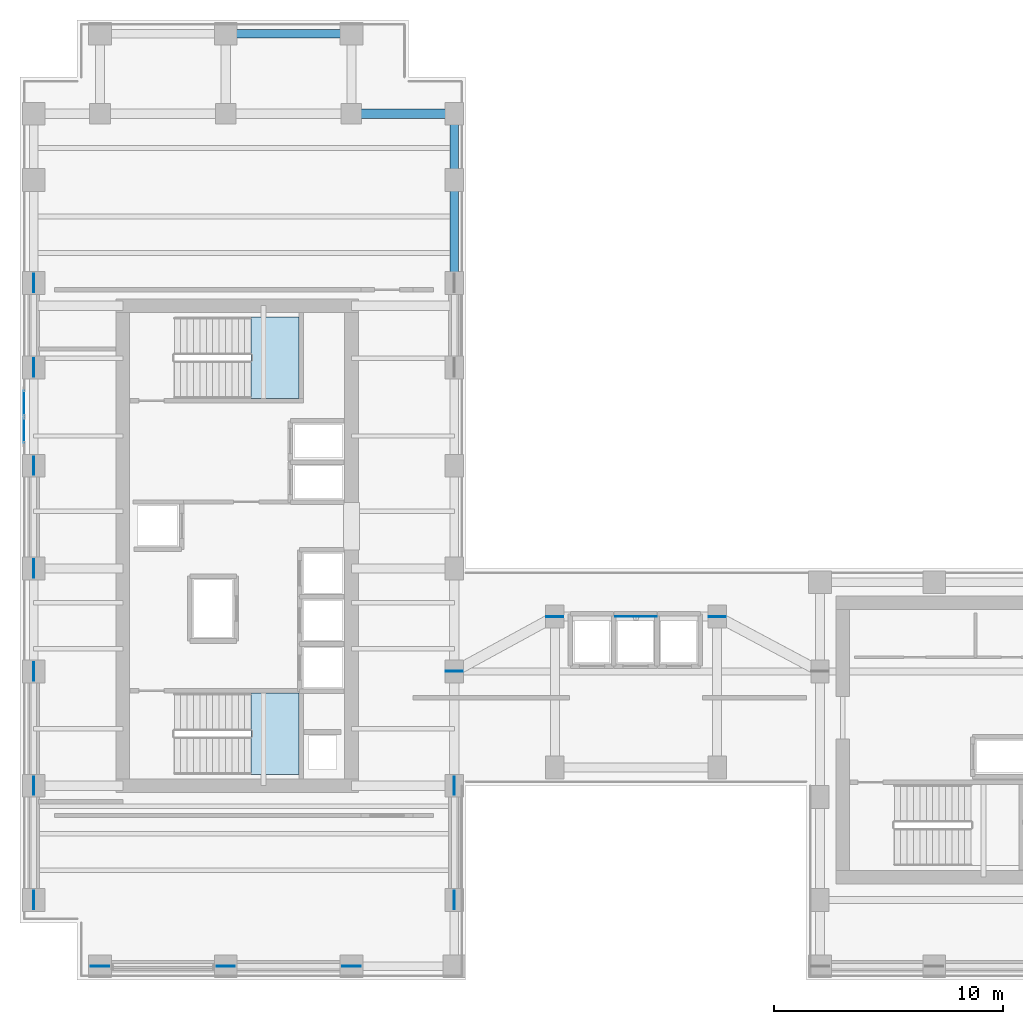
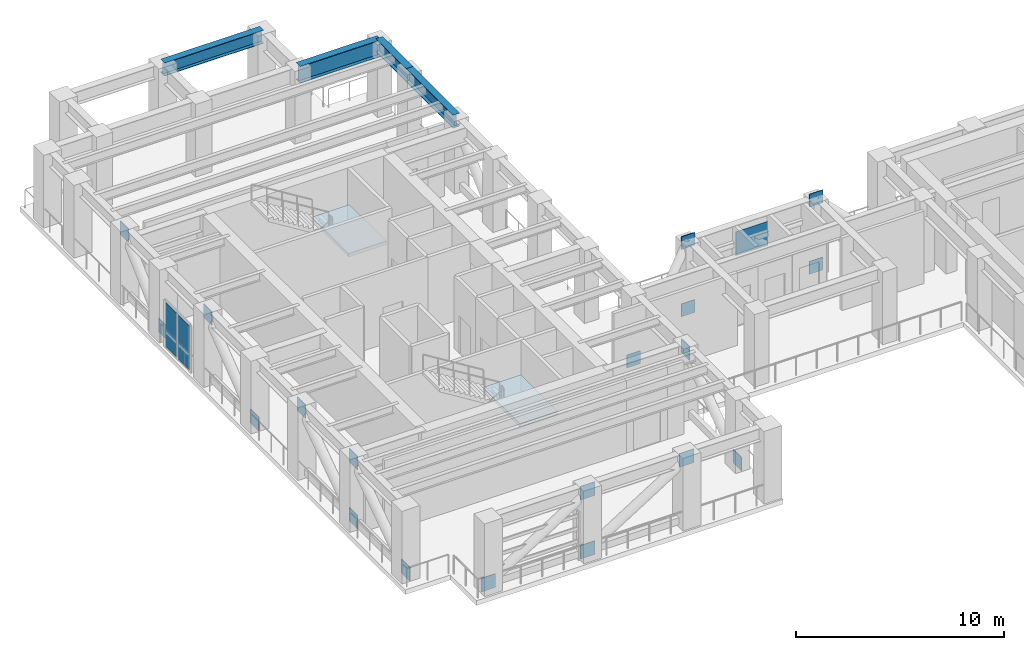
# One storey, part 6 of 14: 22 plates, 4 beams, 2 slabs, 3 elements without a shape of their own.
"""IFC4 building model written with IfcOpenShell, lengths in metres."""

from ifc_helpers import new_model, si_unit, direction, frame, origin, origin_2d, place, context, subcontext, project, spatial, polyline, rectangle, i_section, outline, extrude, source, transform, mapped, material, layer, layer_set, material_profile, profile_set, type_object, element, aggregate, save


model = new_model("IFC4")

# Units and contexts
model_context = context("Model", 3, precision=1e-05, world=origin(), true_north=direction((0.0, 1.0)))
body_context = subcontext(model_context, "Body", "Model", "MODEL_VIEW")
ifc_project = project(units=[si_unit("LENGTHUNIT", "METRE"), si_unit("AREAUNIT", "SQUARE_METRE"), si_unit("VOLUMEUNIT", "CUBIC_METRE"), si_unit("PLANEANGLEUNIT", "RADIAN"), si_unit("MASSUNIT", "GRAM", prefix="KILO")], contexts=[model_context])

# Site, building, storey
site_placement = place(None, origin())
site = spatial("IfcSite", under=ifc_project, at=site_placement, CompositionType="ELEMENT")
building_placement = place(site_placement, origin())
building = spatial("IfcBuilding", under=site, at=building_placement, Name="Kharzan Plaza Tower", CompositionType="ELEMENT")
storey_placement = place(building_placement, frame((0.0, 0.0, 207.89990234375)))
storey = spatial("IfcBuildingStorey", under=building, at=storey_placement, Name="L56", CompositionType="ELEMENT", Elevation=207.89990234375)

# Beams
ifc_material_1 = material(Name="Steel S355", Category="steel")
ifc_material_profile_1 = material_profile(ifc_material_1, i_section(OverallWidth=0.39794921875, OverallDepth=1.0, WebThickness=0.017578125, FlangeThickness=0.02880859375, at=origin_2d()), Name="W1000x321")
ifc_profile_set_1 = profile_set([ifc_material_profile_1], Name="Steel S355")
beam_type_1 = type_object("IfcBeamType", Name="BM-PG1000B", PredefinedType="BEAM", material=ifc_profile_set_1)
shared_shape_1 = source(origin(), body_context, "Body", "SweptSolid", [
    extrude(i_section(OverallWidth=0.39794921875, OverallDepth=1.0, WebThickness=0.017578125, FlangeThickness=0.02880859375, at=origin_2d()), origin(), (0.0, 0.0, 1.0), 4.5),
])
beam_1_placement = place(storey_placement, frame((14.5, 37.89990234375, 3.760009765625), z_axis=(1.0, 0.0, 0.0), x_axis=(0.0, 1.0, 0.0)))
element("IfcBeam", 1, at=beam_1_placement, inside=storey, type_object=beam_type_1, Name="L56 Primary Floor Girder", PredefinedType="BEAM", context=body_context, shape_type="MappedRepresentation", body=[
    mapped(shared_shape_1, transform((0.0, 0.0, 0.0), x_axis=(1.0, 0.0, 0.0), y_axis=(0.0, 1.0, 0.0), z_axis=(0.0, 0.0, 1.0))),
])
ifc_material_profile_2 = material_profile(ifc_material_1, i_section(OverallWidth=0.381103515625, OverallDepth=0.77294921875, WebThickness=0.0166015625, FlangeThickness=0.027587890625, at=origin_2d()), Name="W760x257")
ifc_profile_set_2 = profile_set([ifc_material_profile_2], Name="Steel S355")
beam_type_2 = type_object("IfcBeamType", Name="BM-SP760A", PredefinedType="SPANDREL", material=ifc_profile_set_2)
shared_shape_2 = source(origin(), body_context, "Body", "SweptSolid", [
    extrude(i_section(OverallWidth=0.381103515625, OverallDepth=0.77294921875, WebThickness=0.0166015625, FlangeThickness=0.027587890625, at=origin_2d()), origin(), (0.0, 0.0, 1.0), 4.5),
])
beam_2_placement = place(storey_placement, frame((19.0, 30.5, 3.87353515625), z_axis=(0.0, 1.0, 0.0), x_axis=(-1.0, 0.0, 0.0)))
element("IfcBeam", 2, at=beam_2_placement, inside=storey, type_object=beam_type_2, Name="L56 Perimeter Tube Spandrel", PredefinedType="SPANDREL", context=body_context, shape_type="MappedRepresentation", body=[
    mapped(shared_shape_2, transform((0.0, 0.0, 0.0), x_axis=(1.0, 0.0, 0.0), y_axis=(0.0, 1.0, 0.0), z_axis=(0.0, 0.0, 1.0))),
])
shared_shape_3 = source(origin(), body_context, "Body", "SweptSolid", [
    extrude(i_section(OverallWidth=0.381103515625, OverallDepth=0.77294921875, WebThickness=0.0166015625, FlangeThickness=0.027587890625, at=origin_2d()), origin(), (0.0, 0.0, 1.0), 2.89990234375),
])
beam_3_placement = place(storey_placement, frame((19.0, 35.0, 3.87353515625), z_axis=(0.0, 1.0, 0.0), x_axis=(-1.0, 0.0, 0.0)))
element("IfcBeam", 3, at=beam_3_placement, inside=storey, type_object=beam_type_2, Name="L56 Perimeter Tube Spandrel", PredefinedType="SPANDREL", context=body_context, shape_type="MappedRepresentation", body=[
    mapped(shared_shape_3, transform((0.0, 0.0, 0.0), x_axis=(1.0, 0.0, 0.0), y_axis=(0.0, 1.0, 0.0), z_axis=(0.0, 0.0, 1.0))),
])
shared_shape_4 = source(origin(), body_context, "Body", "SweptSolid", [
    extrude(i_section(OverallWidth=0.381103515625, OverallDepth=0.77294921875, WebThickness=0.0166015625, FlangeThickness=0.027587890625, at=origin_2d()), origin(), (0.0, 0.0, 1.0), 5.5),
])
beam_4_placement = place(storey_placement, frame((9.0, 41.39990234375, 3.87353515625), z_axis=(1.0, 0.0, 0.0), x_axis=(0.0, 1.0, 0.0)))
element("IfcBeam", 4, at=beam_4_placement, inside=storey, type_object=beam_type_2, Name="L56 Perimeter Tube Spandrel", PredefinedType="SPANDREL", context=body_context, shape_type="MappedRepresentation", body=[
    mapped(shared_shape_4, transform((0.0, 0.0, 0.0), x_axis=(1.0, 0.0, 0.0), y_axis=(0.0, 1.0, 0.0), z_axis=(0.0, 0.0, 1.0))),
])

# Stair, slab
ifc_material_2 = material(Name="Concrete C40/50", Category="concrete")
stair_type_1 = type_object("IfcStairType", Name="STR-ST-1", PredefinedType="HALF_TURN_STAIR", material=ifc_material_2)
stair_1_placement = place(storey_placement, origin())
stair_1 = element("IfcStair", 5, at=stair_1_placement, inside=storey, type_object=stair_type_1, Name="L56 Protected Exit Stair ST-1", PredefinedType="HALF_TURN_STAIR")
ifc_layer_1 = layer(ifc_material_2, 0.219970703125)
ifc_layer_set_1 = layer_set([ifc_layer_1], Name="Concrete C40/50")
slab_type = type_object("IfcSlabType", Name="SL-LANDING-220", PredefinedType="LANDING", material=ifc_layer_set_1)
slab_1_placement = place(storey_placement, frame((0.0, 0.0, 2.050048828125)))
slab_1 = element("IfcSlab", 6, at=slab_1_placement, type_object=slab_type, Name="ST-1 landing 1", PredefinedType="LANDING", context=body_context, shape_type="SweptSolid", body=[
    extrude(outline(polyline([(10.110107421875, 9.0), (12.199951171875, 9.0), (12.199951171875, 12.550048828125), (10.110107421875, 12.550048828125), (10.110107421875, 9.0)])), origin(), (0.0, 0.0, 1.0), 0.199951171875),
])
aggregate(stair_1, [slab_1])

stair_type_2 = type_object("IfcStairType", Name="STR-ST-2", PredefinedType="HALF_TURN_STAIR", material=ifc_material_2)
stair_2_placement = place(storey_placement, origin())
stair_2 = element("IfcStair", 7, at=stair_2_placement, inside=storey, type_object=stair_type_2, Name="L56 Protected Exit Stair ST-2", PredefinedType="HALF_TURN_STAIR")
slab_2_placement = place(storey_placement, frame((0.0, 0.0, 2.050048828125)))
slab_2 = element("IfcSlab", 8, at=slab_2_placement, type_object=slab_type, Name="ST-2 landing 1", PredefinedType="LANDING", context=body_context, shape_type="SweptSolid", body=[
    extrude(outline(polyline([(10.110107421875, 25.449951171875), (12.199951171875, 25.449951171875), (12.199951171875, 29.0), (10.110107421875, 29.0), (10.110107421875, 25.449951171875)])), origin(), (0.0, 0.0, 1.0), 0.199951171875),
])
aggregate(stair_2, [slab_2])

# Plates
ifc_material_3 = material(Name="Steel S460", Category="steel")
ifc_layer_2 = layer(ifc_material_3, 0.0400390625)
ifc_layer_set_2 = layer_set([ifc_layer_2], Name="Steel S460")
plate_type_1 = type_object("IfcPlateType", Name="PLT-BTN1", PredefinedType="USERDEFINED", material=ifc_layer_set_2)
shared_shape_5 = source(origin(), body_context, "Body", "SweptSolid", [
    extrude(rectangle(XDim=0.800048828125, YDim=0.0400390625, at=origin_2d()), origin(), (0.0, 0.0, 1.0), 0.800048828125),
])
for number, where, z_axis, x_axis, name in (
    (9, (19.0, 3.5, -0.0498046875), (0.0, 0.0, 1.0), (0.0, 1.0, 0.0), "L56 Belt Truss Node Gusset Plate BTN1-BTA-1"),
    (10, (19.0, 8.5, 3.41015625), (0.0, 0.0, 1.0), (0.0, 1.0, 0.0), "L56 Belt Truss Node Gusset Plate BTN1-T-BTA-1"),
    (11, (3.5, 0.60009765625, -0.0498046875), (0.0, 0.0, 1.0), (1.0, 0.0, 0.0), "L56 Belt Truss Node Gusset Plate BTN1-BTS-1"),
    (12, (9.0, 0.60009765625, 3.41015625), (0.0, 0.0, 1.0), (1.0, 0.0, 0.0), "L56 Belt Truss Node Gusset Plate BTN1-T-BTS-1"),
    (13, (9.0, 0.60009765625, -0.0498046875), (0.0, 0.0, 1.0), (1.0, 0.0, 0.0), "L56 Belt Truss Node Gusset Plate BTN1-BTS-2"),
    (14, (14.5, 0.60009765625, 3.41015625), (0.0, 0.0, 1.0), (1.0, 0.0, 0.0), "L56 Belt Truss Node Gusset Plate BTN1-T-BTS-2"),
    (15, (0.60009765625, 3.5, -0.0498046875), (0.0, 0.0, 1.0), (0.0, 1.0, 0.0), "L56 Belt Truss Node Gusset Plate BTN1-BTW-1"),
    (16, (0.60009765625, 8.5, 3.41015625), (0.0, 0.0, 1.0), (0.0, 1.0, 0.0), "L56 Belt Truss Node Gusset Plate BTN1-T-BTW-1"),
    (17, (0.60009765625, 8.5, -0.0498046875), (0.0, 0.0, 1.0), (0.0, 1.0, 0.0), "L56 Belt Truss Node Gusset Plate BTN1-BTW-2"),
    (18, (0.60009765625, 13.5, 3.41015625), (0.0, 0.0, 1.0), (0.0, 1.0, 0.0), "L56 Belt Truss Node Gusset Plate BTN1-T-BTW-2"),
    (19, (0.60009765625, 18.0, -0.0498046875), (0.0, 0.0, 1.0), (0.0, 1.0, 0.0), "L56 Belt Truss Node Gusset Plate BTN1-BTW-3"),
    (20, (0.60009765625, 22.5, 3.41015625), (0.0, 0.0, 1.0), (0.0, 1.0, 0.0), "L56 Belt Truss Node Gusset Plate BTN1-T-BTW-3"),
    (21, (0.60009765625, 26.800048828125, -0.0498046875), (0.0, 0.0, 1.0), (0.0, 1.0, 0.0), "L56 Belt Truss Node Gusset Plate BTN1-BTW-4"),
    (22, (0.60009765625, 30.5, 3.41015625), (0.0, 0.0, 1.0), (0.0, 1.0, 0.0), "L56 Belt Truss Node Gusset Plate BTN1-T-BTW-4"),
):
    element("IfcPlate", number, at=place(storey_placement, frame(where, z_axis=z_axis, x_axis=x_axis)), inside=storey, type_object=plate_type_1, Name=name, ObjectType="GUSSET_PLATE", PredefinedType="USERDEFINED", context=body_context, shape_type="MappedRepresentation", body=[
        mapped(shared_shape_5, transform((0.0, 0.0, 0.0), x_axis=(1.0, 0.0, 0.0), y_axis=(0.0, 1.0, 0.0), z_axis=(0.0, 0.0, 1.0))),
    ])

# Curtain wall, plates
ifc_material_4 = material(Name="Unitised Bronze-Anodized Aluminium and Low-E Glass", Category="aluminium")
ifc_layer_3 = layer(ifc_material_4, 0.199951171875)
ifc_layer_set_3 = layer_set([ifc_layer_3], Name="Unitised Bronze-Anodized Aluminium and Low-E Glass")
curtain_wall_type = type_object("IfcCurtainWallType", Name="CW-SKY-4", PredefinedType="NOTDEFINED", material=ifc_layer_set_3)
curtain_wall_placement = place(storey_placement, origin())
curtain_wall = element("IfcCurtainWall", 23, at=curtain_wall_placement, inside=storey, type_object=curtain_wall_type, Name="L56 Sky-Lobby and Transfer Zone Feature Curtain Wall", PredefinedType="NOTDEFINED")
ifc_material_5 = material(Name="Dark Solar-Control Double Glazing", Category="glass")
ifc_layer_4 = layer(ifc_material_5, 0.031982421875)
ifc_layer_set_4 = layer_set([ifc_layer_4], Name="Dark Solar-Control Double Glazing")
plate_type_2 = type_object("IfcPlateType", Name="PLT-CW-GLASS", PredefinedType="CURTAIN_PANEL", material=ifc_layer_set_4)
shared_shape_6 = source(origin(), body_context, "Body", "SweptSolid", [
    extrude(rectangle(XDim=1.080078125, YDim=0.031982421875, at=origin_2d()), origin(), (0.0, 0.0, 1.0), 2.590087890625),
])
plate_1_placement = place(storey_placement, frame((0.179931640625, 24.050048828125, 0.080078125), z_axis=(0.0, 0.0, 1.0), x_axis=(0.0, 1.0, 0.0)))
plate_1 = element("IfcPlate", 24, at=plate_1_placement, type_object=plate_type_2, Name="L56 Curtain-Wall Glazed Panel 00", PredefinedType="CURTAIN_PANEL", context=body_context, shape_type="MappedRepresentation", body=[
    mapped(shared_shape_6, transform((0.0, 0.0, 0.0), x_axis=(1.0, 0.0, 0.0), y_axis=(0.0, 1.0, 0.0), z_axis=(0.0, 0.0, 1.0))),
])
plate_2_placement = place(storey_placement, frame((0.179931640625, 25.25, 0.080078125), z_axis=(0.0, 0.0, 1.0), x_axis=(0.0, 1.0, 0.0)))
plate_2 = element("IfcPlate", 25, at=plate_2_placement, type_object=plate_type_2, Name="L56 Curtain-Wall Glazed Panel 01", PredefinedType="CURTAIN_PANEL", context=body_context, shape_type="MappedRepresentation", body=[
    mapped(shared_shape_6, transform((0.0, 0.0, 0.0), x_axis=(1.0, 0.0, 0.0), y_axis=(0.0, 1.0, 0.0), z_axis=(0.0, 0.0, 1.0))),
])
aggregate(curtain_wall, [plate_1, plate_2])

# Plates
ifc_layer_5 = layer(ifc_material_3, 0.0380859375)
ifc_layer_set_5 = layer_set([ifc_layer_5], Name="Steel S460")
plate_type_3 = type_object("IfcPlateType", Name="PLT-WPN1", PredefinedType="USERDEFINED", material=ifc_layer_set_5)
shared_shape_7 = source(origin(), body_context, "Body", "SweptSolid", [
    extrude(rectangle(XDim=0.75, YDim=0.0380859375, at=origin_2d()), origin(), (0.0, 0.0, 1.0), 0.75),
])
for number, where, z_axis, x_axis, name in (
    (26, (30.5, 15.89990234375, -0.1748046875), (0.0, 0.0, 1.0), (1.0, 0.0, 0.0), "L56 Wind Turbine Strut Foot Gusset Plate WPN-TSE"),
    (27, (23.39990234375, 15.89990234375, -0.1748046875), (0.0, 0.0, 1.0), (1.0, 0.0, 0.0), "L56 Wind Turbine Strut Foot Gusset Plate WPN-TSW"),
    (28, (23.39990234375, 15.89990234375, 3.76513671875), (0.0, 0.0, 1.0), (1.0, 0.0, 0.0), "L56 Wind Portal Node Gusset Plate WPN1"),
    (29, (30.5, 15.89990234375, 3.76513671875), (0.0, 0.0, 1.0), (1.0, 0.0, 0.0), "L56 Wind Portal Node Gusset Plate WPN1-ET"),
    (30, (19.0, 13.5, -0.1748046875), (0.0, 0.0, 1.0), (1.0, 0.0, 0.0), "L56 Wind Portal Node Gusset Plate WPN1-WB"),
):
    element("IfcPlate", number, at=place(storey_placement, frame(where, z_axis=z_axis, x_axis=x_axis)), inside=storey, type_object=plate_type_3, Name=name, ObjectType="GUSSET_PLATE", PredefinedType="USERDEFINED", context=body_context, shape_type="MappedRepresentation", body=[
        mapped(shared_shape_7, transform((0.0, 0.0, 0.0), x_axis=(1.0, 0.0, 0.0), y_axis=(0.0, 1.0, 0.0), z_axis=(0.0, 0.0, 1.0))),
    ])
ifc_layer_6 = layer(ifc_material_3, 0.02490234375)
ifc_layer_set_6 = layer_set([ifc_layer_6], Name="Steel S460")
plate_type_4 = type_object("IfcPlateType", Name="PLT-SHRD", PredefinedType="USERDEFINED", material=ifc_layer_set_6)
shared_shape_8 = source(origin(), body_context, "Body", "SweptSolid", [
    extrude(rectangle(XDim=1.800048828125, YDim=0.02490234375, at=origin_2d()), origin(), (0.0, 0.0, 1.0), 1.39990234375),
])
plate_3_placement = place(storey_placement, frame((26.949951171875, 15.89990234375, 2.340087890625), z_axis=(0.0, 0.0, 1.0), x_axis=(1.0, 0.0, 0.0)))
element("IfcPlate", 31, at=plate_3_placement, inside=storey, type_object=plate_type_4, Name="L56 Wind Turbine Slot Shroud Plate TSN1", ObjectType="SHROUD_PLATE", PredefinedType="USERDEFINED", context=body_context, shape_type="MappedRepresentation", body=[
    mapped(shared_shape_8, transform((0.0, 0.0, 0.0), x_axis=(1.0, 0.0, 0.0), y_axis=(0.0, 1.0, 0.0), z_axis=(0.0, 0.0, 1.0))),
])

save(model, "model.ifc")
